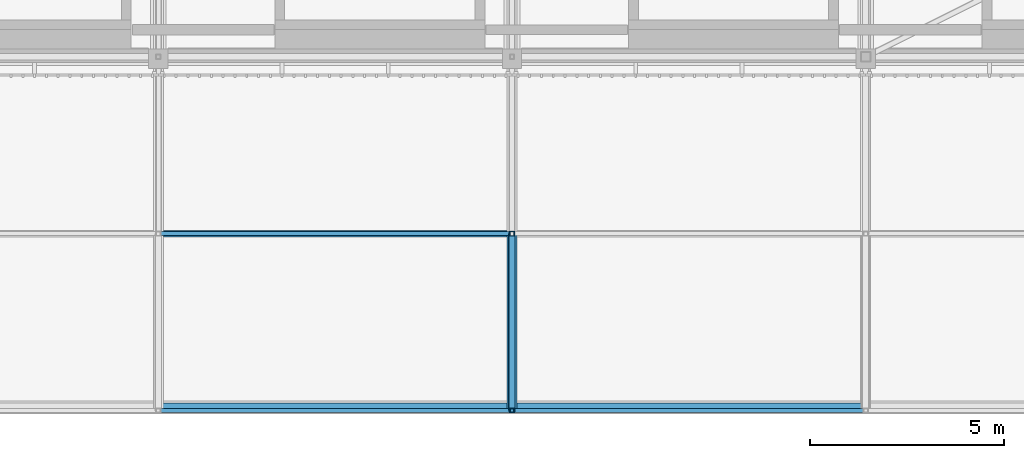
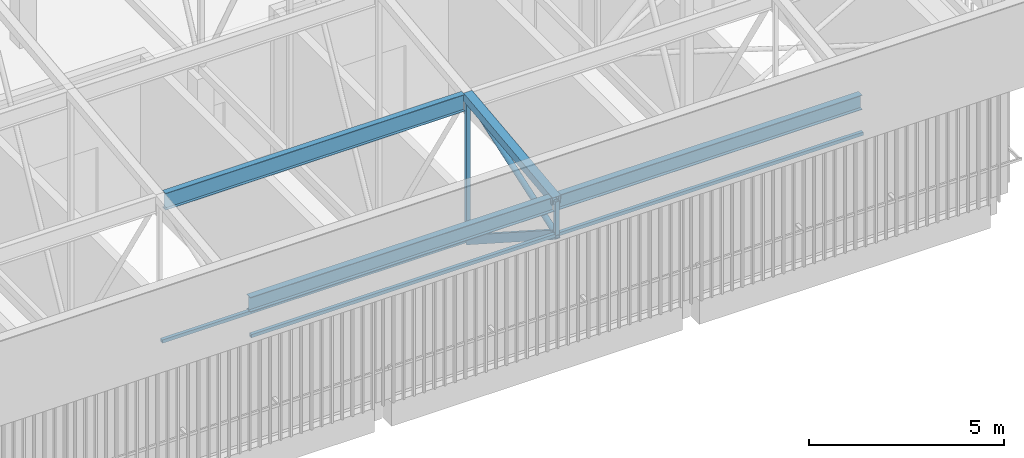
# One storey, part 327 of 500: 11 members.
"""IFC4 building model written with IfcOpenShell, lengths in metres."""

from ifc_helpers import new_model, si_unit, direction, frame, origin, origin_2d, place, context, subcontext, project, spatial, hollow_rectangle, hollow_circle, i_section, extrude, material, material_profile, profile_set, type_object, element, save


model = new_model("IFC4")

# Units and contexts
model_context = context("Model", 3, precision=1e-05, world=origin(), true_north=direction((0.0, 1.0)))
body_context = subcontext(model_context, "Body", "Model", "MODEL_VIEW")
ifc_project = project(units=[si_unit("LENGTHUNIT", "METRE"), si_unit("AREAUNIT", "SQUARE_METRE"), si_unit("VOLUMEUNIT", "CUBIC_METRE"), si_unit("PLANEANGLEUNIT", "RADIAN"), si_unit("MASSUNIT", "GRAM", prefix="KILO")], contexts=[model_context])

# Site, building, storey
site_placement = place(None, origin())
site = spatial("IfcSite", under=ifc_project, at=site_placement, CompositionType="ELEMENT")
building_placement = place(site_placement, origin())
building = spatial("IfcBuilding", under=site, at=building_placement, Name="Shirokan Park Arena", CompositionType="ELEMENT")
storey_placement = place(building_placement, frame((0.0, 0.0, 29.1201171875)))
storey = spatial("IfcBuildingStorey", under=building, at=storey_placement, Name="L06", CompositionType="ELEMENT", Elevation=29.1201171875)

# Members
ifc_material_1 = material(Name="Steel ASTM A500 Grade C", Category="steel")
ifc_material_profile_1 = material_profile(ifc_material_1, hollow_rectangle(XDim=0.152099609375, YDim=0.25390625, WallThickness=0.009521484375, at=origin_2d()), Name="HSS254X152.4X9.5")
ifc_profile_set_1 = profile_set([ifc_material_profile_1], Name="Steel ASTM A500 Grade C")
member_type_1 = type_object("IfcMemberType", Name="Bottom chord HSS254X152.4X9.5", PredefinedType="CHORD", material=ifc_profile_set_1)
member_1_placement = place(storey_placement, frame((127.39990234375, -9.10009765625, 10.531982421875), z_axis=(0.0, 0.840971691661, -0.541079119746), x_axis=(-1.0, 0.0, 0.0)))
element("IfcMember", 1, at=member_1_placement, inside=storey, type_object=member_type_1, Name="Truss T15 bottom chord 1", PredefinedType="CHORD", context=body_context, shape_type="SweptSolid", body=[
    extrude(hollow_rectangle(XDim=0.152099609375, YDim=0.25390625, WallThickness=0.009521484375, at=origin_2d()), origin(), (0.0, 0.0, 1.0), 5.410400390625),
])
ifc_material_profile_2 = material_profile(ifc_material_1, hollow_rectangle(XDim=0.10205078125, YDim=0.10205078125, WallThickness=0.00634765625, at=origin_2d()), Name="HSS101.6X101.6X6.4")
ifc_profile_set_2 = profile_set([ifc_material_profile_2], Name="Steel ASTM A500 Grade C")
member_type_2 = type_object("IfcMemberType", Name="Eave soffit rail HSS101.6X101.6X6.4", PredefinedType="USERDEFINED", material=ifc_profile_set_2)
for number, where, z_axis, x_axis, name in (
    (2, (118.35693359375, -9.10009765625, 10.531982421875), (1.0, 0.0, 0.0), (0.0, 1.0, 0.0), "Eave soffit rail S 1 bay 14"),
    (3, (127.45703125, -9.10009765625, 10.531982421875), (1.0, 0.0, 0.0), (0.0, 1.0, 0.0), "Eave soffit rail S 1 bay 15"),
    (4, (118.35693359375, -4.550048828125, 7.6044921875), (1.0, 0.0, 0.0), (0.0, 1.0, 0.0), "Eave soffit rail S 2 bay 14"),
):
    element("IfcMember", number, at=place(storey_placement, frame(where, z_axis=z_axis, x_axis=x_axis)), inside=storey, type_object=member_type_2, Name=name, ObjectType="EAVE SOFFIT RAIL", PredefinedType="USERDEFINED", context=body_context, shape_type="SweptSolid", body=[
        extrude(hollow_rectangle(XDim=0.10205078125, YDim=0.10205078125, WallThickness=0.00634765625, at=origin_2d()), origin(), (0.0, 0.0, 1.0), 8.986083984375),
    ])
ifc_material_2 = material(Name="Steel ASTM A992", Category="steel")
ifc_material_profile_3 = material_profile(ifc_material_2, i_section(OverallWidth=0.166015625, OverallDepth=0.528076171875, WebThickness=0.009765625, FlangeThickness=0.013671875, at=origin_2d()), Name="W530X74")
ifc_profile_set_3 = profile_set([ifc_material_profile_3], Name="Steel ASTM A992")
member_type_3 = type_object("IfcMemberType", Name="Purlin W530X74", PredefinedType="PURLIN", material=ifc_profile_set_3)
member_2_placement = place(storey_placement, frame((118.427001953125, -4.550048828125, 11.9658203125), z_axis=(1.0, 0.0, 0.0), x_axis=(0.0, 1.0, 0.0)))
element("IfcMember", 5, at=member_2_placement, inside=storey, type_object=member_type_3, Name="Purlin 2 bay 14", PredefinedType="PURLIN", context=body_context, shape_type="SweptSolid", body=[
    extrude(i_section(OverallWidth=0.166015625, OverallDepth=0.528076171875, WebThickness=0.009765625, FlangeThickness=0.013671875, at=origin_2d()), origin(), (0.0, 0.0, 1.0), 8.845947265625),
])
ifc_material_profile_4 = material_profile(ifc_material_2, i_section(OverallWidth=0.19091796875, OverallDepth=0.45703125, WebThickness=0.009033203125, FlangeThickness=0.014404296875, at=origin_2d()), Name="W460X74")
ifc_profile_set_4 = profile_set([ifc_material_profile_4], Name="Steel ASTM A992")
member_type_4 = type_object("IfcMemberType", Name="Roof edge beam W460X74", PredefinedType="USERDEFINED", material=ifc_profile_set_4)
for number, where, z_axis, x_axis, name in (
    (6, (118.35693359375, -9.00439453125, 11.4814453125), (1.0, 0.0, 0.0), (0.0, 1.0, 0.0), "Roof edge beam S 15"),
    (7, (127.45703125, -9.00439453125, 11.4814453125), (1.0, 0.0, 0.0), (0.0, 1.0, 0.0), "Roof edge beam S 16"),
):
    element("IfcMember", number, at=place(storey_placement, frame(where, z_axis=z_axis, x_axis=x_axis)), inside=storey, type_object=member_type_4, Name=name, ObjectType="ROOF EDGE BEAM", PredefinedType="USERDEFINED", context=body_context, shape_type="SweptSolid", body=[
        extrude(i_section(OverallWidth=0.19091796875, OverallDepth=0.45703125, WebThickness=0.009033203125, FlangeThickness=0.014404296875, at=origin_2d()), origin(), (0.0, 0.0, 1.0), 8.986083984375),
    ])
ifc_material_profile_5 = material_profile(ifc_material_1, hollow_rectangle(XDim=0.25390625, YDim=0.25390625, WallThickness=0.009521484375, at=origin_2d()), Name="HSS254X254X9.5")
ifc_profile_set_5 = profile_set([ifc_material_profile_5], Name="Steel ASTM A500 Grade C")
member_type_5 = type_object("IfcMemberType", Name="Top chord HSS254X254X9.5", PredefinedType="CHORD", material=ifc_profile_set_5)
member_3_placement = place(storey_placement, frame((127.39990234375, -9.10009765625, 11.582763671875), z_axis=(0.0, 0.993532328996, 0.113549598152), x_axis=(-1.0, 0.0, 0.0)))
element("IfcMember", 8, at=member_3_placement, inside=storey, type_object=member_type_5, Name="Truss T15 top chord 1", PredefinedType="CHORD", context=body_context, shape_type="SweptSolid", body=[
    extrude(hollow_rectangle(XDim=0.25390625, YDim=0.25390625, WallThickness=0.009521484375, at=origin_2d()), origin(), (0.0, 0.0, 1.0), 4.57958984375),
])
ifc_material_profile_6 = material_profile(ifc_material_1, hollow_circle(Radius=0.083984375, WallThickness=0.009521484375, at=origin_2d()), Name="HSS168.3X9.5")
ifc_profile_set_6 = profile_set([ifc_material_profile_6], Name="Steel ASTM A500 Grade C")
member_type_6 = type_object("IfcMemberType", Name="Truss diagonal HSS168.3X9.5", PredefinedType="BRACE", material=ifc_profile_set_6)
member_4_placement = place(storey_placement, frame((127.39990234375, -9.10009765625, 10.531982421875), z_axis=(0.0, 0.945256498603, 0.326328288459), x_axis=(-1.0, 0.0, 0.0)))
element("IfcMember", 9, at=member_4_placement, inside=storey, type_object=member_type_6, Name="Truss T15 diagonal 1", PredefinedType="BRACE", context=body_context, shape_type="SweptSolid", body=[
    extrude(hollow_circle(Radius=0.083984375, WallThickness=0.009521484375, at=origin_2d()), origin(), (0.0, 0.0, 1.0), 4.8134765625),
])
ifc_material_profile_7 = material_profile(ifc_material_1, hollow_rectangle(XDim=0.114013671875, YDim=0.114013671875, WallThickness=0.00634765625, at=origin_2d()), Name="HSS114.3X114.3X6.4")
ifc_profile_set_7 = profile_set([ifc_material_profile_7], Name="Steel ASTM A500 Grade C")
member_type_7 = type_object("IfcMemberType", Name="Truss post HSS114.3X114.3X6.4", PredefinedType="POST", material=ifc_profile_set_7)
member_5_placement = place(storey_placement, frame((127.39990234375, -9.10009765625, 10.531982421875), z_axis=(0.0, 0.0, 1.0), x_axis=(1.0, 0.0, 0.0)))
element("IfcMember", 10, at=member_5_placement, inside=storey, type_object=member_type_7, Name="Truss T15 post 1", PredefinedType="POST", context=body_context, shape_type="SweptSolid", body=[
    extrude(hollow_rectangle(XDim=0.114013671875, YDim=0.114013671875, WallThickness=0.00634765625, at=origin_2d()), origin(), (0.0, 0.0, 1.0), 1.05078125),
])
member_6_placement = place(storey_placement, frame((127.39990234375, -4.550048828125, 7.6044921875), z_axis=(0.0, 0.0, 1.0), x_axis=(1.0, 0.0, 0.0)))
element("IfcMember", 11, at=member_6_placement, inside=storey, type_object=member_type_7, Name="Truss T15 post 2", PredefinedType="POST", context=body_context, shape_type="SweptSolid", body=[
    extrude(hollow_rectangle(XDim=0.114013671875, YDim=0.114013671875, WallThickness=0.00634765625, at=origin_2d()), origin(), (0.0, 0.0, 1.0), 4.498291015625),
])

save(model, "model.ifc")
